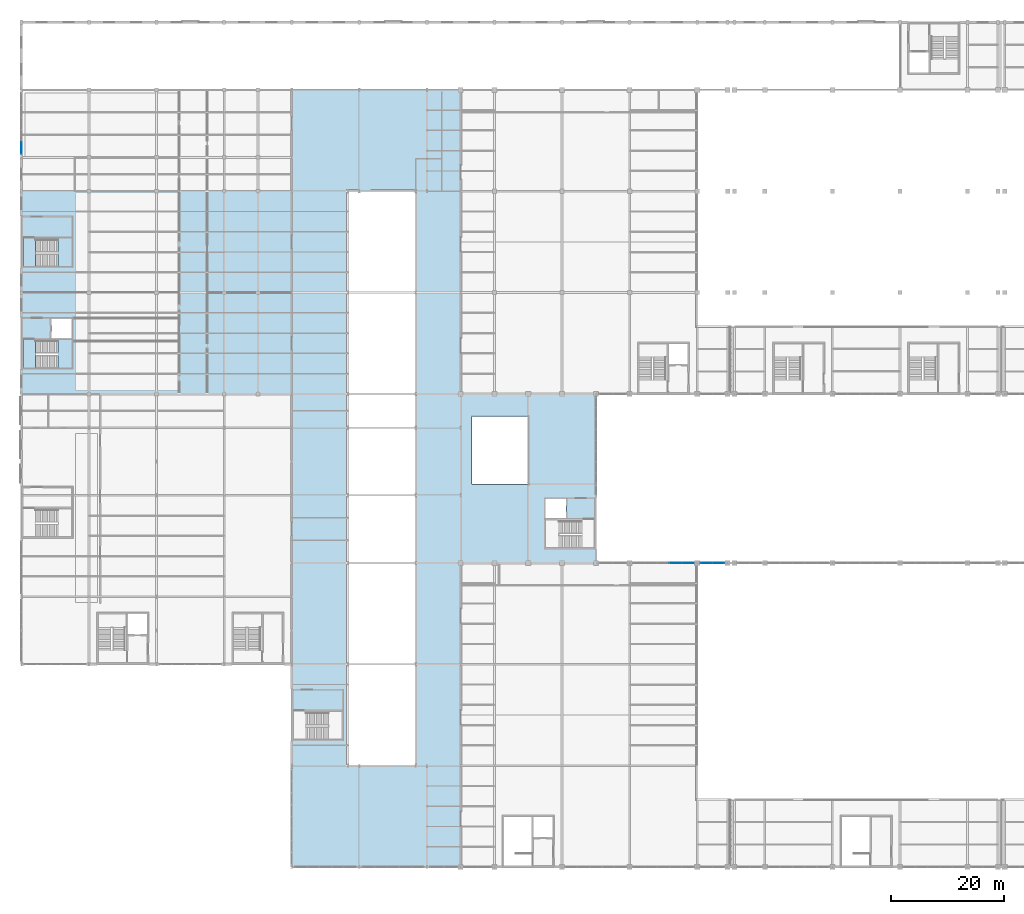
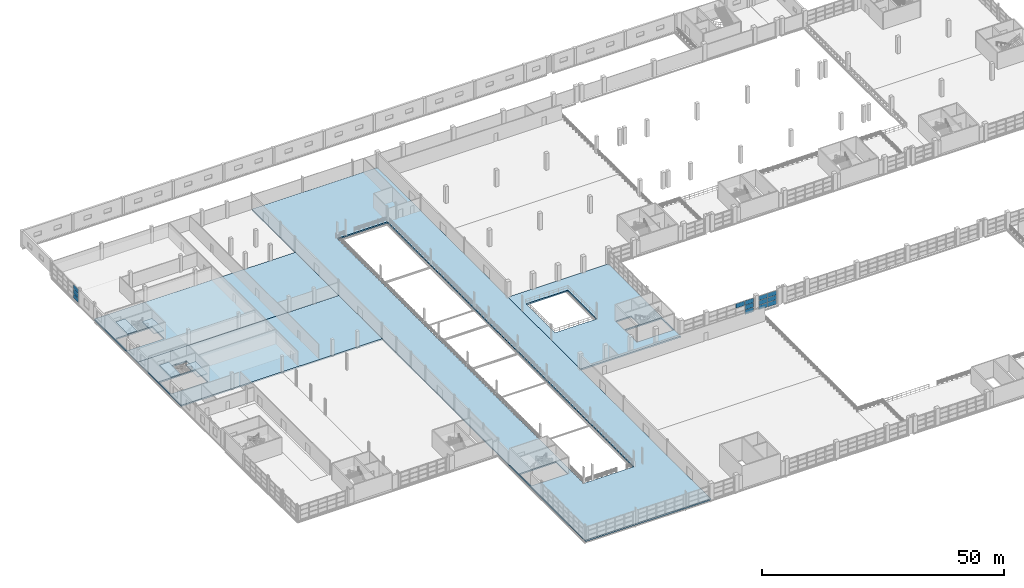
# One storey, part 128 of 158: 13 plates, 8 slabs, 5 elements without a shape of their own.
"""IFC4 building model written with IfcOpenShell, lengths in metres."""

from ifc_helpers import new_model, si_unit, direction, frame, origin, origin_2d, place, context, subcontext, project, spatial, polyline, rectangle, outline, extrude, material, layer, layer_set, type_object, element, aggregate, save


model = new_model("IFC4")

# Units and contexts
model_context = context("Model", 3, precision=1e-05, world=origin(), true_north=direction((0.0, 1.0)))
body_context = subcontext(model_context, "Body", "Model", "MODEL_VIEW")
ifc_project = project(units=[si_unit("LENGTHUNIT", "METRE"), si_unit("AREAUNIT", "SQUARE_METRE"), si_unit("VOLUMEUNIT", "CUBIC_METRE"), si_unit("PLANEANGLEUNIT", "RADIAN"), si_unit("MASSUNIT", "GRAM", prefix="KILO")], contexts=[model_context])

# Site, building, storey
site_placement = place(None, origin())
site = spatial("IfcSite", under=ifc_project, at=site_placement, CompositionType="ELEMENT")
building_placement = place(site_placement, origin())
building = spatial("IfcBuilding", under=site, at=building_placement, Name="Zilviju Railside Exhibition Hall", CompositionType="ELEMENT")
storey_placement = place(building_placement, frame((0.0, 0.0, 4.199951171875)))
storey = spatial("IfcBuildingStorey", under=building, at=storey_placement, Name="L02", CompositionType="ELEMENT", Elevation=4.199951171875)

# Curtain wall, plates
ifc_material_1 = material(Name="Thermally broken aluminium-steel triple-glazed curtain wall", Category="steel")
ifc_layer_1 = layer(ifc_material_1, 0.179931640625)
ifc_layer_set_1 = layer_set([ifc_layer_1], Name="Thermally broken aluminium-steel triple-glazed curtain wall")
curtain_wall_type_1 = type_object("IfcCurtainWallType", Name="CW-BAY-04", PredefinedType="USERDEFINED", material=ifc_layer_set_1)
curtain_wall_1_placement = place(storey_placement, origin())
curtain_wall_1 = element("IfcCurtainWall", 1, at=curtain_wall_1_placement, inside=storey, type_object=curtain_wall_type_1, Name="Organisers Wing Jugendstils Erkeri Curtain Wall L02", ObjectType="GLAZED CURTAIN WALL", PredefinedType="USERDEFINED")
ifc_material_2 = material(Name="Triple-glazed solar-control glass unit", Category="glass")
ifc_layer_2 = layer(ifc_material_2, 0.0380859375)
ifc_layer_set_2 = layer_set([ifc_layer_2], Name="Triple-glazed solar-control glass unit")
plate_type_1 = type_object("IfcPlateType", Name="CWP-IGU-38", PredefinedType="CURTAIN_PANEL", material=ifc_layer_set_2)
plate_1_placement = place(storey_placement, frame((0.0, 127.65625, 0.06494140625), z_axis=(0.0, 0.0, 1.0), x_axis=(0.0, 1.0, 0.0)))
plate_1 = element("IfcPlate", 2, at=plate_1_placement, type_object=plate_type_1, Name="CW-04 panel 1.1", PredefinedType="CURTAIN_PANEL", context=body_context, shape_type="SweptSolid", body=[
    extrude(rectangle(XDim=2.08251953125, YDim=0.0380859375, at=origin_2d()), origin(), (0.0, 0.0, 1.0), 1.069580078125),
])
plate_2_placement = place(storey_placement, frame((0.0, 127.65625, 1.199462890625), z_axis=(0.0, 0.0, 1.0), x_axis=(0.0, 1.0, 0.0)))
plate_2 = element("IfcPlate", 3, at=plate_2_placement, type_object=plate_type_1, Name="CW-04 panel 1.2", PredefinedType="CURTAIN_PANEL", context=body_context, shape_type="SweptSolid", body=[
    extrude(rectangle(XDim=2.08251953125, YDim=0.0380859375, at=origin_2d()), origin(), (0.0, 0.0, 1.0), 1.10107421875),
])
plate_3_placement = place(storey_placement, frame((0.0, 127.65625, 2.36572265625), z_axis=(0.0, 0.0, 1.0), x_axis=(0.0, 1.0, 0.0)))
plate_3 = element("IfcPlate", 4, at=plate_3_placement, type_object=plate_type_1, Name="CW-04 panel 1.3", PredefinedType="CURTAIN_PANEL", context=body_context, shape_type="SweptSolid", body=[
    extrude(rectangle(XDim=2.08251953125, YDim=0.0380859375, at=origin_2d()), origin(), (0.0, 0.0, 1.0), 1.069580078125),
])
aggregate(curtain_wall_1, [plate_1, plate_2, plate_3])

ifc_layer_3 = layer(ifc_material_1, 0.179931640625)
ifc_layer_set_3 = layer_set([ifc_layer_3], Name="Thermally broken aluminium-steel triple-glazed curtain wall")
curtain_wall_type_2 = type_object("IfcCurtainWallType", Name="CW-BAY-18", PredefinedType="USERDEFINED", material=ifc_layer_set_3)
curtain_wall_2_placement = place(storey_placement, origin())
curtain_wall_2 = element("IfcCurtainWall", 5, at=curtain_wall_2_placement, inside=storey, type_object=curtain_wall_type_2, Name="South Hall Garden Court Curtain Wall L02 (108..120)", ObjectType="GLAZED CURTAIN WALL", PredefinedType="USERDEFINED")
ifc_material_3 = material(Name="Triple-glazed low-E argon insulating glass unit", Category="glass")
ifc_layer_4 = layer(ifc_material_3, 0.0439453125)
ifc_layer_set_4 = layer_set([ifc_layer_4], Name="Triple-glazed low-E argon insulating glass unit")
plate_type_2 = type_object("IfcPlateType", Name="CWP-IGU-44", PredefinedType="CURTAIN_PANEL", material=ifc_layer_set_4)
plate_4_placement = place(storey_placement, frame((116.179931640625, 54.0, 2.400634765625), z_axis=(0.0, 0.0, 1.0), x_axis=(1.0, 0.0, 0.0)))
plate_4 = element("IfcPlate", 6, at=plate_4_placement, type_object=plate_type_2, Name="CW-18 panel 4.3", PredefinedType="CURTAIN_PANEL", context=body_context, shape_type="SweptSolid", body=[
    extrude(rectangle(XDim=2.125, YDim=0.0439453125, at=origin_2d()), origin(), (0.0, 0.0, 1.0), 1.1044921875),
])
plate_5_placement = place(storey_placement, frame((118.34619140625, 54.0, 0.054931640625), z_axis=(0.0, 0.0, 1.0), x_axis=(1.0, 0.0, 0.0)))
plate_5 = element("IfcPlate", 7, at=plate_5_placement, type_object=plate_type_2, Name="CW-18 panel 5.1", PredefinedType="CURTAIN_PANEL", context=body_context, shape_type="SweptSolid", body=[
    extrude(rectangle(XDim=2.097412109375, YDim=0.0439453125, at=origin_2d()), origin(), (0.0, 0.0, 1.0), 1.1044921875),
])
plate_6_placement = place(storey_placement, frame((118.34619140625, 54.0, 1.21435546875), z_axis=(0.0, 0.0, 1.0), x_axis=(1.0, 0.0, 0.0)))
plate_6 = element("IfcPlate", 8, at=plate_6_placement, type_object=plate_type_2, Name="CW-18 panel 5.2", PredefinedType="CURTAIN_PANEL", context=body_context, shape_type="SweptSolid", body=[
    extrude(rectangle(XDim=2.097412109375, YDim=0.0439453125, at=origin_2d()), origin(), (0.0, 0.0, 1.0), 1.131103515625),
])
plate_7_placement = place(storey_placement, frame((118.34619140625, 54.0, 2.400634765625), z_axis=(0.0, 0.0, 1.0), x_axis=(1.0, 0.0, 0.0)))
plate_7 = element("IfcPlate", 9, at=plate_7_placement, type_object=plate_type_2, Name="CW-18 panel 5.3", PredefinedType="CURTAIN_PANEL", context=body_context, shape_type="SweptSolid", body=[
    extrude(rectangle(XDim=2.097412109375, YDim=0.0439453125, at=origin_2d()), origin(), (0.0, 0.0, 1.0), 1.1044921875),
])
aggregate(curtain_wall_2, [plate_4, plate_5, plate_6, plate_7])

ifc_layer_5 = layer(ifc_material_1, 0.179931640625)
ifc_layer_set_5 = layer_set([ifc_layer_5], Name="Thermally broken aluminium-steel triple-glazed curtain wall")
curtain_wall_type_3 = type_object("IfcCurtainWallType", Name="CW-BAY-19", PredefinedType="USERDEFINED", material=ifc_layer_set_5)
curtain_wall_3_placement = place(storey_placement, origin())
curtain_wall_3 = element("IfcCurtainWall", 10, at=curtain_wall_3_placement, inside=storey, type_object=curtain_wall_type_3, Name="South Hall Garden Court Curtain Wall L02 (120..125)", ObjectType="GLAZED CURTAIN WALL", PredefinedType="USERDEFINED")
plate_8_placement = place(storey_placement, frame((121.642578125, 54.0, 0.070068359375), z_axis=(0.0, 0.0, 1.0), x_axis=(1.0, 0.0, 0.0)))
plate_8 = element("IfcPlate", 11, at=plate_8_placement, type_object=plate_type_2, Name="CW-19 panel 1.1", PredefinedType="CURTAIN_PANEL", context=body_context, shape_type="SweptSolid", body=[
    extrude(rectangle(XDim=2.044921875, YDim=0.0439453125, at=origin_2d()), origin(), (0.0, 0.0, 1.0), 1.08203125),
])
plate_9_placement = place(storey_placement, frame((121.642578125, 54.0, 1.22216796875), z_axis=(0.0, 0.0, 1.0), x_axis=(1.0, 0.0, 0.0)))
plate_9 = element("IfcPlate", 12, at=plate_9_placement, type_object=plate_type_2, Name="CW-19 panel 1.2", PredefinedType="CURTAIN_PANEL", context=body_context, shape_type="SweptSolid", body=[
    extrude(rectangle(XDim=2.044921875, YDim=0.0439453125, at=origin_2d()), origin(), (0.0, 0.0, 1.0), 1.115966796875),
])
plate_10_placement = place(storey_placement, frame((121.642578125, 54.0, 2.407958984375), z_axis=(0.0, 0.0, 1.0), x_axis=(1.0, 0.0, 0.0)))
plate_10 = element("IfcPlate", 13, at=plate_10_placement, type_object=plate_type_2, Name="CW-19 panel 1.3", PredefinedType="CURTAIN_PANEL", context=body_context, shape_type="SweptSolid", body=[
    extrude(rectangle(XDim=2.044921875, YDim=0.0439453125, at=origin_2d()), origin(), (0.0, 0.0, 1.0), 1.08203125),
])
plate_11_placement = place(storey_placement, frame((123.757568359375, 54.0, 0.070068359375), z_axis=(0.0, 0.0, 1.0), x_axis=(1.0, 0.0, 0.0)))
plate_11 = element("IfcPlate", 14, at=plate_11_placement, type_object=plate_type_2, Name="CW-19 panel 2.1", PredefinedType="CURTAIN_PANEL", context=body_context, shape_type="SweptSolid", body=[
    extrude(rectangle(XDim=2.044921875, YDim=0.0439453125, at=origin_2d()), origin(), (0.0, 0.0, 1.0), 1.08203125),
])
plate_12_placement = place(storey_placement, frame((123.757568359375, 54.0, 1.22216796875), z_axis=(0.0, 0.0, 1.0), x_axis=(1.0, 0.0, 0.0)))
plate_12 = element("IfcPlate", 15, at=plate_12_placement, type_object=plate_type_2, Name="CW-19 panel 2.2", PredefinedType="CURTAIN_PANEL", context=body_context, shape_type="SweptSolid", body=[
    extrude(rectangle(XDim=2.044921875, YDim=0.0439453125, at=origin_2d()), origin(), (0.0, 0.0, 1.0), 1.115966796875),
])
plate_13_placement = place(storey_placement, frame((123.757568359375, 54.0, 2.407958984375), z_axis=(0.0, 0.0, 1.0), x_axis=(1.0, 0.0, 0.0)))
plate_13 = element("IfcPlate", 16, at=plate_13_placement, type_object=plate_type_2, Name="CW-19 panel 2.3", PredefinedType="CURTAIN_PANEL", context=body_context, shape_type="SweptSolid", body=[
    extrude(rectangle(XDim=2.044921875, YDim=0.0439453125, at=origin_2d()), origin(), (0.0, 0.0, 1.0), 1.08203125),
])
aggregate(curtain_wall_3, [plate_8, plate_9, plate_10, plate_11, plate_12, plate_13])

# Slabs
ifc_material_4 = material(Name="Concrete C35/45", Category="concrete")
ifc_layer_6 = layer(ifc_material_4, 0.35009765625)
ifc_layer_set_6 = layer_set([ifc_layer_6], Name="Concrete C35/45")
slab_type_1 = type_object("IfcSlabType", Name="SL-FLR-350", PredefinedType="FLOOR", material=ifc_layer_set_6)
slab_1_placement = place(storey_placement, frame((0.0, 0.0, -0.349853515625)))
element("IfcSlab", 17, at=slab_1_placement, inside=storey, type_object=slab_type_1, Name="Winter Concourse L02 Bridge Deck", PredefinedType="FLOOR", context=body_context, shape_type="SweptSolid", body=[
    extrude(outline(polyline([(48.0, 0.0), (78.0, 0.0), (78.0, 138.0), (48.0, 138.0), (48.0, 0.0)]), holes=[polyline([(58.0, 18.0), (70.0, 18.0), (70.0, 120.0), (58.0, 120.0), (58.0, 18.0)]), polyline([(48.25, 22.64990234375), (56.949951171875, 22.64990234375), (56.949951171875, 27.64990234375), (48.25, 27.64990234375), (48.25, 22.64990234375)])]), origin(), (0.0, 0.0, 1.0), 0.349853515625),
])
slab_2_placement = place(storey_placement, frame((0.0, 0.0, -0.349853515625)))
element("IfcSlab", 18, at=slab_2_placement, inside=storey, type_object=slab_type_1, Name="Winter Concourse L02 Court Bistro Deck", PredefinedType="FLOOR", context=body_context, shape_type="SweptSolid", body=[
    extrude(outline(polyline([(78.0, 54.0), (102.0, 54.0), (102.0, 84.0), (78.0, 84.0), (78.0, 54.0)]), holes=[polyline([(80.0, 68.0), (90.0, 68.0), (90.0, 80.0), (80.0, 80.0), (80.0, 68.0)]), polyline([(93.050048828125, 56.64990234375), (101.75, 56.64990234375), (101.75, 61.64990234375), (93.050048828125, 61.64990234375), (93.050048828125, 56.64990234375)]), polyline([(93.050048828125, 61.89990234375), (96.699951171875, 61.89990234375), (96.699951171875, 65.35009765625), (93.050048828125, 65.35009765625), (93.050048828125, 61.89990234375)])]), origin(), (0.0, 0.0, 1.0), 0.349853515625),
])
slab_3_placement = place(storey_placement, frame((0.0, 0.0, -0.349853515625)))
element("IfcSlab", 19, at=slab_3_placement, inside=storey, type_object=slab_type_1, Name="Breakout Wing L02 Floor Slab 1", PredefinedType="FLOOR", context=body_context, shape_type="SweptSolid", body=[
    extrude(outline(polyline([(0.0, 84.0), (48.0, 84.0), (48.0, 102.0), (0.0, 102.0), (0.0, 84.0)]), holes=[polyline([(0.25, 88.64990234375), (8.949951171875, 88.64990234375), (8.949951171875, 93.64990234375), (0.25, 93.64990234375), (0.25, 88.64990234375)]), polyline([(5.300048828125, 93.89990234375), (8.949951171875, 93.89990234375), (8.949951171875, 97.35009765625), (5.300048828125, 97.35009765625), (5.300048828125, 93.89990234375)])]), origin(), (0.0, 0.0, 1.0), 0.349853515625),
])
slab_4_placement = place(storey_placement, frame((0.0, 0.0, -0.349853515625)))
element("IfcSlab", 20, at=slab_4_placement, inside=storey, type_object=slab_type_1, Name="Breakout Wing L02 Floor Slab 2", PredefinedType="FLOOR", context=body_context, shape_type="SweptSolid", body=[
    extrude(outline(polyline([(0.0, 102.0), (48.0, 102.0), (48.0, 120.0), (0.0, 120.0), (0.0, 102.0)]), holes=[polyline([(0.25, 106.64990234375), (8.949951171875, 106.64990234375), (8.949951171875, 111.64990234375), (0.25, 111.64990234375), (0.25, 106.64990234375)])]), origin(), (0.0, 0.0, 1.0), 0.349853515625),
])

# Stair, slabs
stair_type_1 = type_object("IfcStairType", Name="STAIR-ST-C", PredefinedType="HALF_TURN_STAIR", material=ifc_material_4)
stair_1_placement = place(storey_placement, origin())
stair_1 = element("IfcStair", 21, at=stair_1_placement, inside=storey, type_object=stair_type_1, Name="Core C15 Organisers Wing South Exit Stair L02", PredefinedType="HALF_TURN_STAIR")
ifc_layer_7 = layer(ifc_material_4, 0.199951171875)
ifc_layer_set_7 = layer_set([ifc_layer_7], Name="Concrete C35/45")
slab_type_2 = type_object("IfcSlabType", Name="SL-LAND-200", PredefinedType="LANDING", material=ifc_layer_set_7)
slab_5_placement = place(storey_placement, frame((0.0, 0.0, 1.900146484375)))
slab_5 = element("IfcSlab", 22, at=slab_5_placement, type_object=slab_type_2, Name="ST-15 landing 1", PredefinedType="LANDING", context=body_context, shape_type="SweptSolid", body=[
    extrude(outline(polyline([(6.530029296875, 88.64990234375), (6.530029296875, 93.64990234375), (8.949951171875, 93.64990234375), (8.949951171875, 88.64990234375), (6.530029296875, 88.64990234375)])), origin(), (0.0, 0.0, 1.0), 0.199951171875),
])
slab_6_placement = place(storey_placement, frame((0.0, 0.0, 4.0)))
slab_6 = element("IfcSlab", 23, at=slab_6_placement, type_object=slab_type_2, Name="ST-15 landing 2", PredefinedType="LANDING", context=body_context, shape_type="SweptSolid", body=[
    extrude(outline(polyline([(0.25, 88.64990234375), (0.25, 93.64990234375), (2.5, 93.64990234375), (2.5, 88.64990234375), (0.25, 88.64990234375)])), origin(), (0.0, 0.0, 1.0), 0.199951171875),
])
aggregate(stair_1, [slab_5, slab_6])

stair_type_2 = type_object("IfcStairType", Name="STAIR-ST-A", PredefinedType="HALF_TURN_STAIR", material=ifc_material_4)
stair_2_placement = place(storey_placement, origin())
stair_2 = element("IfcStair", 24, at=stair_2_placement, inside=storey, type_object=stair_type_2, Name="Core C16 Organisers Wing North Exit Stair L02", PredefinedType="HALF_TURN_STAIR")
slab_7_placement = place(storey_placement, frame((0.0, 0.0, 1.900146484375)))
slab_7 = element("IfcSlab", 25, at=slab_7_placement, type_object=slab_type_2, Name="ST-16 landing 1", PredefinedType="LANDING", context=body_context, shape_type="SweptSolid", body=[
    extrude(outline(polyline([(6.530029296875, 106.64990234375), (6.530029296875, 111.64990234375), (8.949951171875, 111.64990234375), (8.949951171875, 106.64990234375), (6.530029296875, 106.64990234375)])), origin(), (0.0, 0.0, 1.0), 0.199951171875),
])
slab_8_placement = place(storey_placement, frame((0.0, 0.0, 4.0)))
slab_8 = element("IfcSlab", 26, at=slab_8_placement, type_object=slab_type_2, Name="ST-16 landing 2", PredefinedType="LANDING", context=body_context, shape_type="SweptSolid", body=[
    extrude(outline(polyline([(0.25, 106.64990234375), (0.25, 111.64990234375), (2.5, 111.64990234375), (2.5, 106.64990234375), (0.25, 106.64990234375)])), origin(), (0.0, 0.0, 1.0), 0.199951171875),
])
aggregate(stair_2, [slab_7, slab_8])

save(model, "model.ifc")
